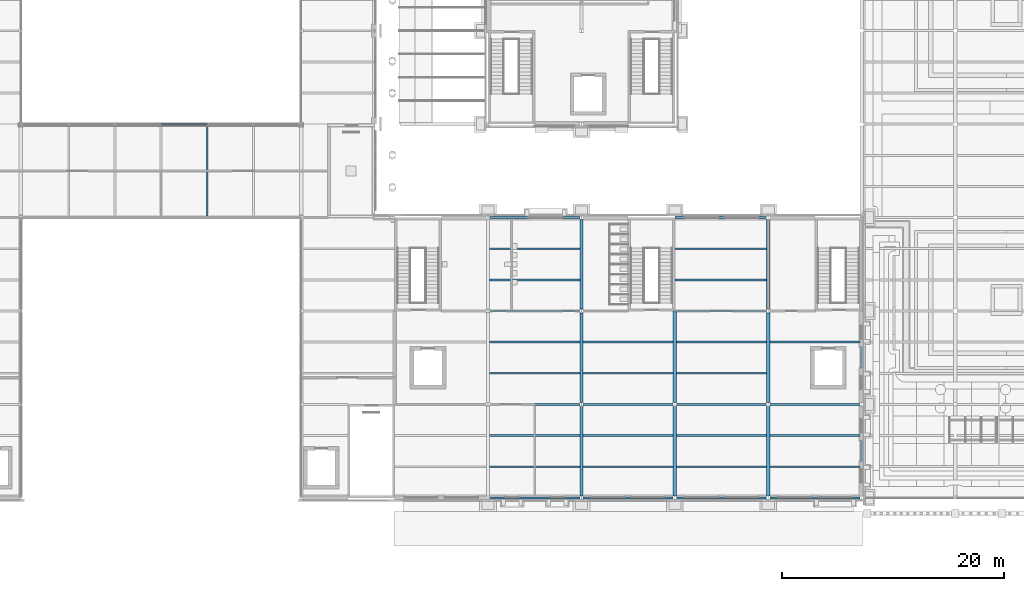
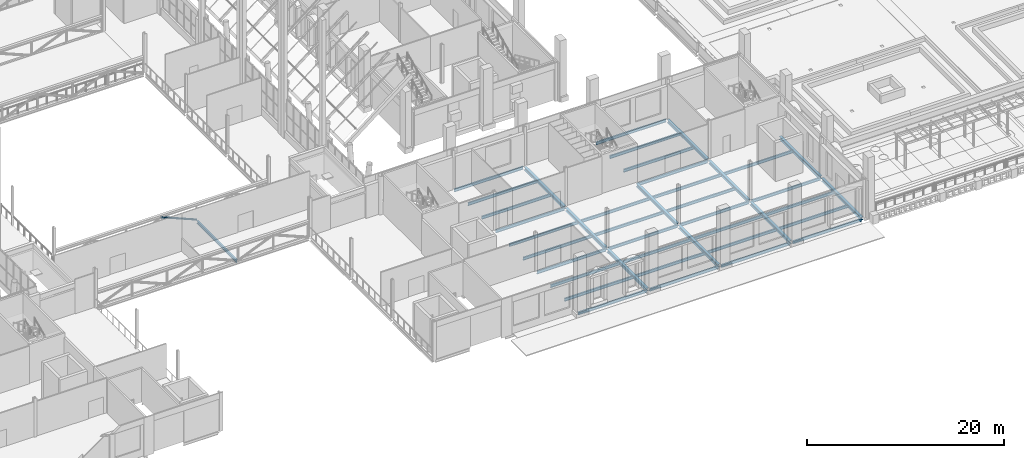
# One storey, part 25 of 76: 42 beams, 1 member.
"""IFC4 building model written with IfcOpenShell, lengths in metres."""

from ifc_helpers import new_model, si_unit, direction, frame, origin, origin_2d, place, context, subcontext, project, spatial, hollow_circle, i_section, extrude, material, material_profile, profile_set, type_object, element, save


model = new_model("IFC4")

# Units and contexts
model_context = context("Model", 3, precision=1e-05, world=origin(), true_north=direction((0.0, 1.0)))
body_context = subcontext(model_context, "Body", "Model", "MODEL_VIEW")
ifc_project = project(units=[si_unit("LENGTHUNIT", "METRE"), si_unit("AREAUNIT", "SQUARE_METRE"), si_unit("VOLUMEUNIT", "CUBIC_METRE"), si_unit("PLANEANGLEUNIT", "RADIAN"), si_unit("MASSUNIT", "GRAM", prefix="KILO")], contexts=[model_context])

# Site, building, storey
site_placement = place(None, origin())
site = spatial("IfcSite", under=ifc_project, at=site_placement, CompositionType="ELEMENT")
building_placement = place(site_placement, origin())
building = spatial("IfcBuilding", under=site, at=building_placement, Name="Sava Quay Ferry Terminal", CompositionType="ELEMENT")
storey_placement = place(building_placement, frame((0.0, 0.0, 6.0)))
storey = spatial("IfcBuildingStorey", under=building, at=storey_placement, Name="L01", CompositionType="ELEMENT", Elevation=6.0)

# Beams
ifc_material_1 = material(Name="Steel S355", Category="steel")
ifc_material_profile_1 = material_profile(ifc_material_1, i_section(OverallWidth=0.169921875, OverallDepth=0.360107421875, WebThickness=0.008056640625, FlangeThickness=0.0126953125, at=origin_2d()), Name="IPE 360")
ifc_profile_set_1 = profile_set([ifc_material_profile_1], Name="Steel S355")
beam_type_1 = type_object("IfcBeamType", Name="Beam IPE 360", PredefinedType="BEAM", material=ifc_profile_set_1)
beam_1_placement = place(storey_placement, frame((92.550048828125, 25.199951171875, -0.31005859375), z_axis=(1.0, 0.0, 0.0), x_axis=(0.0, 1.0, 0.0)))
element("IfcBeam", 1, at=beam_1_placement, inside=storey, type_object=beam_type_1, Name="Beam L01", PredefinedType="BEAM", context=body_context, shape_type="SweptSolid", body=[
    extrude(i_section(OverallWidth=0.169921875, OverallDepth=0.360107421875, WebThickness=0.008056640625, FlangeThickness=0.0126953125, at=origin_2d()), origin(), (0.0, 0.0, 1.0), 8.099853515625),
])
beam_2_placement = place(storey_placement, frame((100.949951171875, 25.199951171875, -0.31005859375), z_axis=(1.0, 0.0, 0.0), x_axis=(0.0, 1.0, 0.0)))
element("IfcBeam", 2, at=beam_2_placement, inside=storey, type_object=beam_type_1, Name="Beam L01", PredefinedType="BEAM", context=body_context, shape_type="SweptSolid", body=[
    extrude(i_section(OverallWidth=0.169921875, OverallDepth=0.360107421875, WebThickness=0.008056640625, FlangeThickness=0.0126953125, at=origin_2d()), origin(), (0.0, 0.0, 1.0), 8.10009765625),
])
beam_3_placement = place(storey_placement, frame((109.35009765625, 25.199951171875, -0.31005859375), z_axis=(1.0, 0.0, 0.0), x_axis=(0.0, 1.0, 0.0)))
element("IfcBeam", 3, at=beam_3_placement, inside=storey, type_object=beam_type_1, Name="Beam L01", PredefinedType="BEAM", context=body_context, shape_type="SweptSolid", body=[
    extrude(i_section(OverallWidth=0.169921875, OverallDepth=0.360107421875, WebThickness=0.008056640625, FlangeThickness=0.0126953125, at=origin_2d()), origin(), (0.0, 0.0, 1.0), 8.099853515625),
])
beam_4_placement = place(storey_placement, frame((117.75, 25.199951171875, -0.31005859375), z_axis=(1.0, 0.0, 0.0), x_axis=(0.0, 1.0, 0.0)))
element("IfcBeam", 4, at=beam_4_placement, inside=storey, type_object=beam_type_1, Name="Beam L01", PredefinedType="BEAM", context=body_context, shape_type="SweptSolid", body=[
    extrude(i_section(OverallWidth=0.169921875, OverallDepth=0.360107421875, WebThickness=0.008056640625, FlangeThickness=0.0126953125, at=origin_2d()), origin(), (0.0, 0.0, 1.0), 8.10009765625),
])
beam_5_placement = place(storey_placement, frame((92.550048828125, 33.60009765625, -0.31005859375), z_axis=(1.0, 0.0, 0.0), x_axis=(0.0, 1.0, 0.0)))
element("IfcBeam", 5, at=beam_5_placement, inside=storey, type_object=beam_type_1, Name="Beam L01", PredefinedType="BEAM", context=body_context, shape_type="SweptSolid", body=[
    extrude(i_section(OverallWidth=0.169921875, OverallDepth=0.360107421875, WebThickness=0.008056640625, FlangeThickness=0.0126953125, at=origin_2d()), origin(), (0.0, 0.0, 1.0), 8.099853515625),
])
beam_6_placement = place(storey_placement, frame((100.949951171875, 33.60009765625, -0.31005859375), z_axis=(1.0, 0.0, 0.0), x_axis=(0.0, 1.0, 0.0)))
element("IfcBeam", 6, at=beam_6_placement, inside=storey, type_object=beam_type_1, Name="Beam L01", PredefinedType="BEAM", context=body_context, shape_type="SweptSolid", body=[
    extrude(i_section(OverallWidth=0.169921875, OverallDepth=0.360107421875, WebThickness=0.008056640625, FlangeThickness=0.0126953125, at=origin_2d()), origin(), (0.0, 0.0, 1.0), 8.10009765625),
])
beam_7_placement = place(storey_placement, frame((109.35009765625, 33.60009765625, -0.31005859375), z_axis=(1.0, 0.0, 0.0), x_axis=(0.0, 1.0, 0.0)))
element("IfcBeam", 7, at=beam_7_placement, inside=storey, type_object=beam_type_1, Name="Beam L01", PredefinedType="BEAM", context=body_context, shape_type="SweptSolid", body=[
    extrude(i_section(OverallWidth=0.169921875, OverallDepth=0.360107421875, WebThickness=0.008056640625, FlangeThickness=0.0126953125, at=origin_2d()), origin(), (0.0, 0.0, 1.0), 8.099853515625),
])
beam_8_placement = place(storey_placement, frame((117.75, 33.60009765625, -0.31005859375), z_axis=(1.0, 0.0, 0.0), x_axis=(0.0, 1.0, 0.0)))
element("IfcBeam", 8, at=beam_8_placement, inside=storey, type_object=beam_type_1, Name="Beam L01", PredefinedType="BEAM", context=body_context, shape_type="SweptSolid", body=[
    extrude(i_section(OverallWidth=0.169921875, OverallDepth=0.360107421875, WebThickness=0.008056640625, FlangeThickness=0.0126953125, at=origin_2d()), origin(), (0.0, 0.0, 1.0), 8.10009765625),
])
beam_9_placement = place(storey_placement, frame((92.550048828125, 42.0, -0.31005859375), z_axis=(1.0, 0.0, 0.0), x_axis=(0.0, 1.0, 0.0)))
element("IfcBeam", 9, at=beam_9_placement, inside=storey, type_object=beam_type_1, Name="Beam L01", PredefinedType="BEAM", context=body_context, shape_type="SweptSolid", body=[
    extrude(i_section(OverallWidth=0.169921875, OverallDepth=0.360107421875, WebThickness=0.008056640625, FlangeThickness=0.0126953125, at=origin_2d()), origin(), (0.0, 0.0, 1.0), 8.099853515625),
])
beam_10_placement = place(storey_placement, frame((109.199951171875, 42.0, -0.31005859375), z_axis=(1.0, 0.0, 0.0), x_axis=(0.0, 1.0, 0.0)))
element("IfcBeam", 10, at=beam_10_placement, inside=storey, type_object=beam_type_1, Name="Beam L01", PredefinedType="BEAM", context=body_context, shape_type="SweptSolid", body=[
    extrude(i_section(OverallWidth=0.169921875, OverallDepth=0.360107421875, WebThickness=0.008056640625, FlangeThickness=0.0126953125, at=origin_2d()), origin(), (0.0, 0.0, 1.0), 8.25),
])
beam_11_placement = place(storey_placement, frame((92.550048828125, 50.39990234375, -0.31005859375), z_axis=(1.0, 0.0, 0.0), x_axis=(0.0, 1.0, 0.0)))
element("IfcBeam", 11, at=beam_11_placement, inside=storey, type_object=beam_type_1, Name="Beam L01", PredefinedType="BEAM", context=body_context, shape_type="SweptSolid", body=[
    extrude(i_section(OverallWidth=0.169921875, OverallDepth=0.360107421875, WebThickness=0.008056640625, FlangeThickness=0.0126953125, at=origin_2d()), origin(), (0.0, 0.0, 1.0), 8.099853515625),
])
beam_12_placement = place(storey_placement, frame((109.199951171875, 50.39990234375, -0.31005859375), z_axis=(1.0, 0.0, 0.0), x_axis=(0.0, 1.0, 0.0)))
element("IfcBeam", 12, at=beam_12_placement, inside=storey, type_object=beam_type_1, Name="Beam L01", PredefinedType="BEAM", context=body_context, shape_type="SweptSolid", body=[
    extrude(i_section(OverallWidth=0.169921875, OverallDepth=0.360107421875, WebThickness=0.008056640625, FlangeThickness=0.0126953125, at=origin_2d()), origin(), (0.0, 0.0, 1.0), 8.25),
])
for number, where, z_axis, x_axis, name in (
    (13, (92.550048828125, 28.0, -0.31005859375), (1.0, 0.0, 0.0), (0.0, 1.0, 0.0), "Secondary beam L01"),
    (14, (92.550048828125, 30.800048828125, -0.31005859375), (1.0, 0.0, 0.0), (0.0, 1.0, 0.0), "Secondary beam L01"),
):
    element("IfcBeam", number, at=place(storey_placement, frame(where, z_axis=z_axis, x_axis=x_axis)), inside=storey, type_object=beam_type_1, Name=name, PredefinedType="BEAM", context=body_context, shape_type="SweptSolid", body=[
        extrude(i_section(OverallWidth=0.169921875, OverallDepth=0.360107421875, WebThickness=0.008056640625, FlangeThickness=0.0126953125, at=origin_2d()), origin(), (0.0, 0.0, 1.0), 8.099853515625),
    ])
for number, where, z_axis, x_axis, name in (
    (15, (100.949951171875, 28.0, -0.31005859375), (1.0, 0.0, 0.0), (0.0, 1.0, 0.0), "Secondary beam L01"),
    (16, (100.949951171875, 30.800048828125, -0.31005859375), (1.0, 0.0, 0.0), (0.0, 1.0, 0.0), "Secondary beam L01"),
):
    element("IfcBeam", number, at=place(storey_placement, frame(where, z_axis=z_axis, x_axis=x_axis)), inside=storey, type_object=beam_type_1, Name=name, PredefinedType="BEAM", context=body_context, shape_type="SweptSolid", body=[
        extrude(i_section(OverallWidth=0.169921875, OverallDepth=0.360107421875, WebThickness=0.008056640625, FlangeThickness=0.0126953125, at=origin_2d()), origin(), (0.0, 0.0, 1.0), 8.10009765625),
    ])
for number, where, z_axis, x_axis, name in (
    (17, (109.35009765625, 28.0, -0.31005859375), (1.0, 0.0, 0.0), (0.0, 1.0, 0.0), "Secondary beam L01"),
    (18, (109.35009765625, 30.800048828125, -0.31005859375), (1.0, 0.0, 0.0), (0.0, 1.0, 0.0), "Secondary beam L01"),
):
    element("IfcBeam", number, at=place(storey_placement, frame(where, z_axis=z_axis, x_axis=x_axis)), inside=storey, type_object=beam_type_1, Name=name, PredefinedType="BEAM", context=body_context, shape_type="SweptSolid", body=[
        extrude(i_section(OverallWidth=0.169921875, OverallDepth=0.360107421875, WebThickness=0.008056640625, FlangeThickness=0.0126953125, at=origin_2d()), origin(), (0.0, 0.0, 1.0), 8.099853515625),
    ])
for number, where, z_axis, x_axis, name in (
    (19, (117.75, 28.0, -0.31005859375), (1.0, 0.0, 0.0), (0.0, 1.0, 0.0), "Secondary beam L01"),
    (20, (117.75, 30.800048828125, -0.31005859375), (1.0, 0.0, 0.0), (0.0, 1.0, 0.0), "Secondary beam L01"),
):
    element("IfcBeam", number, at=place(storey_placement, frame(where, z_axis=z_axis, x_axis=x_axis)), inside=storey, type_object=beam_type_1, Name=name, PredefinedType="BEAM", context=body_context, shape_type="SweptSolid", body=[
        extrude(i_section(OverallWidth=0.169921875, OverallDepth=0.360107421875, WebThickness=0.008056640625, FlangeThickness=0.0126953125, at=origin_2d()), origin(), (0.0, 0.0, 1.0), 8.10009765625),
    ])
for number, where, z_axis, x_axis, name in (
    (21, (92.550048828125, 36.39990234375, -0.31005859375), (1.0, 0.0, 0.0), (0.0, 1.0, 0.0), "Secondary beam L01"),
    (22, (92.550048828125, 39.199951171875, -0.31005859375), (1.0, 0.0, 0.0), (0.0, 1.0, 0.0), "Secondary beam L01"),
):
    element("IfcBeam", number, at=place(storey_placement, frame(where, z_axis=z_axis, x_axis=x_axis)), inside=storey, type_object=beam_type_1, Name=name, PredefinedType="BEAM", context=body_context, shape_type="SweptSolid", body=[
        extrude(i_section(OverallWidth=0.169921875, OverallDepth=0.360107421875, WebThickness=0.008056640625, FlangeThickness=0.0126953125, at=origin_2d()), origin(), (0.0, 0.0, 1.0), 8.099853515625),
    ])
for number, where, z_axis, x_axis, name in (
    (23, (100.949951171875, 36.39990234375, -0.31005859375), (1.0, 0.0, 0.0), (0.0, 1.0, 0.0), "Secondary beam L01"),
    (24, (100.949951171875, 39.199951171875, -0.31005859375), (1.0, 0.0, 0.0), (0.0, 1.0, 0.0), "Secondary beam L01"),
):
    element("IfcBeam", number, at=place(storey_placement, frame(where, z_axis=z_axis, x_axis=x_axis)), inside=storey, type_object=beam_type_1, Name=name, PredefinedType="BEAM", context=body_context, shape_type="SweptSolid", body=[
        extrude(i_section(OverallWidth=0.169921875, OverallDepth=0.360107421875, WebThickness=0.008056640625, FlangeThickness=0.0126953125, at=origin_2d()), origin(), (0.0, 0.0, 1.0), 8.10009765625),
    ])
for number, where, z_axis, x_axis, name in (
    (25, (109.35009765625, 36.39990234375, -0.31005859375), (1.0, 0.0, 0.0), (0.0, 1.0, 0.0), "Secondary beam L01"),
    (26, (109.35009765625, 39.199951171875, -0.31005859375), (1.0, 0.0, 0.0), (0.0, 1.0, 0.0), "Secondary beam L01"),
):
    element("IfcBeam", number, at=place(storey_placement, frame(where, z_axis=z_axis, x_axis=x_axis)), inside=storey, type_object=beam_type_1, Name=name, PredefinedType="BEAM", context=body_context, shape_type="SweptSolid", body=[
        extrude(i_section(OverallWidth=0.169921875, OverallDepth=0.360107421875, WebThickness=0.008056640625, FlangeThickness=0.0126953125, at=origin_2d()), origin(), (0.0, 0.0, 1.0), 8.099853515625),
    ])
beam_13_placement = place(storey_placement, frame((117.75, 39.199951171875, -0.31005859375), z_axis=(1.0, 0.0, 0.0), x_axis=(0.0, 1.0, 0.0)))
element("IfcBeam", 27, at=beam_13_placement, inside=storey, type_object=beam_type_1, Name="Secondary beam L01", PredefinedType="BEAM", context=body_context, shape_type="SweptSolid", body=[
    extrude(i_section(OverallWidth=0.169921875, OverallDepth=0.360107421875, WebThickness=0.008056640625, FlangeThickness=0.0126953125, at=origin_2d()), origin(), (0.0, 0.0, 1.0), 8.10009765625),
])
for number, where, z_axis, x_axis, name in (
    (28, (92.550048828125, 44.800048828125, -0.31005859375), (1.0, 0.0, 0.0), (0.0, 1.0, 0.0), "Secondary beam L01"),
    (29, (92.550048828125, 47.60009765625, -0.31005859375), (1.0, 0.0, 0.0), (0.0, 1.0, 0.0), "Secondary beam L01"),
):
    element("IfcBeam", number, at=place(storey_placement, frame(where, z_axis=z_axis, x_axis=x_axis)), inside=storey, type_object=beam_type_1, Name=name, PredefinedType="BEAM", context=body_context, shape_type="SweptSolid", body=[
        extrude(i_section(OverallWidth=0.169921875, OverallDepth=0.360107421875, WebThickness=0.008056640625, FlangeThickness=0.0126953125, at=origin_2d()), origin(), (0.0, 0.0, 1.0), 8.099853515625),
    ])
for number, where, z_axis, x_axis, name in (
    (30, (109.199951171875, 44.800048828125, -0.31005859375), (1.0, 0.0, 0.0), (0.0, 1.0, 0.0), "Secondary beam L01"),
    (31, (109.199951171875, 47.60009765625, -0.31005859375), (1.0, 0.0, 0.0), (0.0, 1.0, 0.0), "Secondary beam L01"),
):
    element("IfcBeam", number, at=place(storey_placement, frame(where, z_axis=z_axis, x_axis=x_axis)), inside=storey, type_object=beam_type_1, Name=name, PredefinedType="BEAM", context=body_context, shape_type="SweptSolid", body=[
        extrude(i_section(OverallWidth=0.169921875, OverallDepth=0.360107421875, WebThickness=0.008056640625, FlangeThickness=0.0126953125, at=origin_2d()), origin(), (0.0, 0.0, 1.0), 8.25),
    ])
beam_14_placement = place(storey_placement, frame((67.14990234375, 50.550048828125, -0.31005859375), z_axis=(0.0, 1.0, 0.0), x_axis=(-1.0, 0.0, 0.0)))
element("IfcBeam", 32, at=beam_14_placement, inside=storey, type_object=beam_type_1, Name="Truss floor beam", PredefinedType="BEAM", context=body_context, shape_type="SweptSolid", body=[
    extrude(i_section(OverallWidth=0.169921875, OverallDepth=0.360107421875, WebThickness=0.008056640625, FlangeThickness=0.0126953125, at=origin_2d()), origin(), (0.0, 0.0, 1.0), 8.099853515625),
])

# Member
ifc_material_2 = material(Name="Steel S355", Category="steel")
ifc_material_profile_2 = material_profile(ifc_material_2, hollow_circle(Radius=0.109619140625, WallThickness=0.010009765625, at=origin_2d()), Name="CHS 219.1 x 10")
ifc_profile_set_2 = profile_set([ifc_material_profile_2], Name="Steel S355")
member_type = type_object("IfcMemberType", Name="Brace CHS 219.1 x 10", PredefinedType="BRACE", material=ifc_profile_set_2)
member_placement = place(storey_placement, frame((67.14990234375, 58.800048828125, -0.1298828125), z_axis=(-0.922217474343, 0.0, 0.386671604874), x_axis=(0.0, -1.0, 0.0)))
element("IfcMember", 33, at=member_placement, inside=storey, type_object=member_type, Name="Truss diagonal 58.8", PredefinedType="BRACE", context=body_context, shape_type="SweptSolid", body=[
    extrude(hollow_circle(Radius=0.109619140625, WallThickness=0.010009765625, at=origin_2d()), origin(), (0.0, 0.0, 1.0), 4.5),
])

# Beams
ifc_material_3 = material(Name="Steel S355", Category="steel")
ifc_material_profile_3 = material_profile(ifc_material_3, i_section(OverallWidth=0.300048828125, OverallDepth=0.389892578125, WebThickness=0.010986328125, FlangeThickness=0.01904296875, at=origin_2d()), Name="HE 400 A")
ifc_profile_set_3 = profile_set([ifc_material_profile_3], Name="Steel S355")
beam_type_2 = type_object("IfcBeamType", Name="Girder HE 400 A", PredefinedType="BEAM", material=ifc_profile_set_3)
beam_15_placement = place(storey_placement, frame((100.800048828125, 25.360107421875, -0.324951171875), z_axis=(0.0, 1.0, 0.0), x_axis=(-1.0, 0.0, 0.0)))
element("IfcBeam", 34, at=beam_15_placement, inside=storey, type_object=beam_type_2, Name="Girder L01", PredefinedType="BEAM", context=body_context, shape_type="SweptSolid", body=[
    extrude(i_section(OverallWidth=0.300048828125, OverallDepth=0.389892578125, WebThickness=0.010986328125, FlangeThickness=0.01904296875, at=origin_2d()), origin(), (0.0, 0.0, 1.0), 8.079833984375),
])
for number, where, z_axis, x_axis, name in (
    (35, (100.800048828125, 33.760009765625, -0.324951171875), (0.0, 1.0, 0.0), (-1.0, 0.0, 0.0), "Girder L01"),
    (36, (100.800048828125, 42.159912109375, -0.324951171875), (0.0, 1.0, 0.0), (-1.0, 0.0, 0.0), "Girder L01"),
):
    element("IfcBeam", number, at=place(storey_placement, frame(where, z_axis=z_axis, x_axis=x_axis)), inside=storey, type_object=beam_type_2, Name=name, PredefinedType="BEAM", context=body_context, shape_type="SweptSolid", body=[
        extrude(i_section(OverallWidth=0.300048828125, OverallDepth=0.389892578125, WebThickness=0.010986328125, FlangeThickness=0.01904296875, at=origin_2d()), origin(), (0.0, 0.0, 1.0), 8.080078125),
    ])
beam_16_placement = place(storey_placement, frame((109.199951171875, 25.360107421875, -0.324951171875), z_axis=(0.0, 1.0, 0.0), x_axis=(-1.0, 0.0, 0.0)))
element("IfcBeam", 37, at=beam_16_placement, inside=storey, type_object=beam_type_2, Name="Girder L01", PredefinedType="BEAM", context=body_context, shape_type="SweptSolid", body=[
    extrude(i_section(OverallWidth=0.300048828125, OverallDepth=0.389892578125, WebThickness=0.010986328125, FlangeThickness=0.01904296875, at=origin_2d()), origin(), (0.0, 0.0, 1.0), 8.079833984375),
])
beam_17_placement = place(storey_placement, frame((109.199951171875, 33.760009765625, -0.324951171875), z_axis=(0.0, 1.0, 0.0), x_axis=(-1.0, 0.0, 0.0)))
element("IfcBeam", 38, at=beam_17_placement, inside=storey, type_object=beam_type_2, Name="Girder L01", PredefinedType="BEAM", context=body_context, shape_type="SweptSolid", body=[
    extrude(i_section(OverallWidth=0.300048828125, OverallDepth=0.389892578125, WebThickness=0.010986328125, FlangeThickness=0.01904296875, at=origin_2d()), origin(), (0.0, 0.0, 1.0), 8.239990234375),
])
beam_18_placement = place(storey_placement, frame((117.60009765625, 25.360107421875, -0.324951171875), z_axis=(0.0, 1.0, 0.0), x_axis=(-1.0, 0.0, 0.0)))
element("IfcBeam", 39, at=beam_18_placement, inside=storey, type_object=beam_type_2, Name="Girder L01", PredefinedType="BEAM", context=body_context, shape_type="SweptSolid", body=[
    extrude(i_section(OverallWidth=0.300048828125, OverallDepth=0.389892578125, WebThickness=0.010986328125, FlangeThickness=0.01904296875, at=origin_2d()), origin(), (0.0, 0.0, 1.0), 8.079833984375),
])
for number, where, z_axis, x_axis, name in (
    (40, (117.60009765625, 33.760009765625, -0.324951171875), (0.0, 1.0, 0.0), (-1.0, 0.0, 0.0), "Girder L01"),
    (41, (117.60009765625, 42.159912109375, -0.324951171875), (0.0, 1.0, 0.0), (-1.0, 0.0, 0.0), "Girder L01"),
):
    element("IfcBeam", number, at=place(storey_placement, frame(where, z_axis=z_axis, x_axis=x_axis)), inside=storey, type_object=beam_type_2, Name=name, PredefinedType="BEAM", context=body_context, shape_type="SweptSolid", body=[
        extrude(i_section(OverallWidth=0.300048828125, OverallDepth=0.389892578125, WebThickness=0.010986328125, FlangeThickness=0.01904296875, at=origin_2d()), origin(), (0.0, 0.0, 1.0), 8.080078125),
    ])
beam_19_placement = place(storey_placement, frame((126.0, 25.360107421875, -0.344970703125), z_axis=(0.0, 1.0, 0.0), x_axis=(-1.0, 0.0, 0.0)))
element("IfcBeam", 42, at=beam_19_placement, inside=storey, type_object=beam_type_2, Name="Girder L01", PredefinedType="BEAM", context=body_context, shape_type="SweptSolid", body=[
    extrude(i_section(OverallWidth=0.300048828125, OverallDepth=0.389892578125, WebThickness=0.010986328125, FlangeThickness=0.01904296875, at=origin_2d()), origin(), (0.0, 0.0, 1.0), 8.079833984375),
])
beam_20_placement = place(storey_placement, frame((126.0, 33.760009765625, -0.344970703125), z_axis=(0.0, 1.0, 0.0), x_axis=(-1.0, 0.0, 0.0)))
element("IfcBeam", 43, at=beam_20_placement, inside=storey, type_object=beam_type_2, Name="Girder L01", PredefinedType="BEAM", context=body_context, shape_type="SweptSolid", body=[
    extrude(i_section(OverallWidth=0.300048828125, OverallDepth=0.389892578125, WebThickness=0.010986328125, FlangeThickness=0.01904296875, at=origin_2d()), origin(), (0.0, 0.0, 1.0), 8.239990234375),
])

save(model, "model.ifc")
